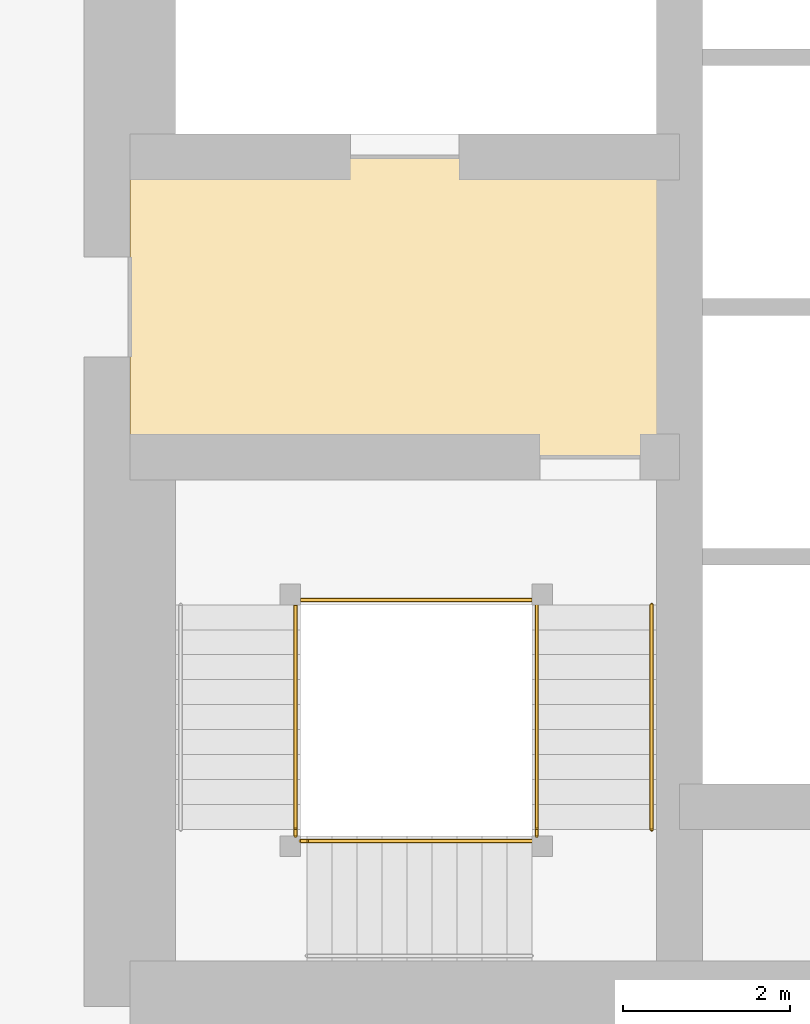
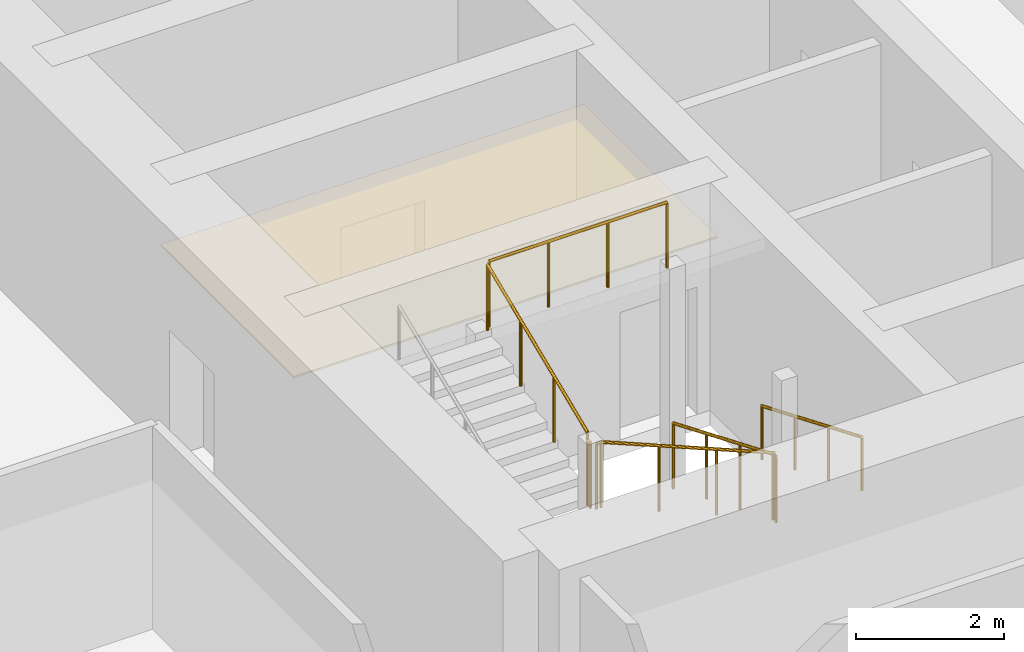
# One storey, part 37 of 44: 8 railings, 1 covering.
"""IFC4 building model written with IfcOpenShell, lengths in metres."""

from ifc_helpers import new_model, si_unit, direction, frame, origin, origin_2d, place, context, subcontext, project, spatial, polyline, circle, outline, extrude, material, layer, layer_set, type_object, element, save


model = new_model("IFC4")

# Units and contexts
model_context = context("Model", 3, precision=1e-05, world=origin(), true_north=direction((0.0, 1.0)))
body_context = subcontext(model_context, "Body", "Model", "MODEL_VIEW")
ifc_project = project(units=[si_unit("LENGTHUNIT", "METRE"), si_unit("AREAUNIT", "SQUARE_METRE"), si_unit("VOLUMEUNIT", "CUBIC_METRE"), si_unit("PLANEANGLEUNIT", "RADIAN"), si_unit("MASSUNIT", "GRAM", prefix="KILO")], contexts=[model_context])

# Site, building, storey
site_placement = place(None, origin())
site = spatial("IfcSite", under=ifc_project, at=site_placement, CompositionType="ELEMENT")
building_placement = place(site_placement, origin())
building = spatial("IfcBuilding", under=site, at=building_placement, Name="Rekha Terrace Tower", CompositionType="ELEMENT")
storey_placement = place(building_placement, frame((0.0, 0.0, 62.89990234375)))
storey = spatial("IfcBuildingStorey", under=building, at=storey_placement, Name="L15", CompositionType="ELEMENT", Elevation=62.89990234375)

# Covering
ifc_material_1 = material(Name="Powder-coated aluminium pan", Category="aluminium")
ifc_layer = layer(ifc_material_1, 0.030029296875)
ifc_layer_set = layer_set([ifc_layer], Name="Powder-coated aluminium pan")
covering_type = type_object("IfcCoveringType", Name="CL3 300x1200 metal pan ceiling", PredefinedType="CEILING", material=ifc_layer_set)
covering_placement = place(storey_placement, frame((0.0, 0.0, 2.570068359375)))
element("IfcCovering", 1, at=covering_placement, inside=storey, type_object=covering_type, Name="Ceiling L15-FLB1", PredefinedType="CEILING", context=body_context, shape_type="SweptSolid", body=[
    extrude(outline(polyline([(31.800048828125, 31.199951171875), (25.199951171875, 31.199951171875), (25.199951171875, 27.60009765625), (31.800048828125, 27.60009765625), (31.800048828125, 31.199951171875)])), origin(), (0.0, 0.0, 1.0), 0.030029296875),
])

# Railings
ifc_material_2 = material(Name="Stainless steel balustrade", Category="steel")
railing_type_1 = type_object("IfcRailingType", Name="GR1 1100 stair guard", PredefinedType="GUARDRAIL", material=ifc_material_2)
railing_1_placement = place(storey_placement, frame((30.0849609375, 25.824951171875, 0.125)))
element("IfcRailing", 2, at=railing_1_placement, inside=storey, type_object=railing_type_1, Name="Guard ST1 L15 flight 1", PredefinedType="GUARDRAIL", context=body_context, shape_type="SweptSolid", body=[
    extrude(circle(Radius=0.02392578125, at=origin_2d()), frame((0.0, 0.0, 1.076171875), z_axis=(0.0, -0.923074453586, 0.384621311341), x_axis=(1.0, 0.0, 0.0)), (0.0, 0.0, 1.0), 2.925048828125),
    extrude(circle(Radius=0.02099609375, at=origin_2d()), origin(), (0.0, 0.0, 1.0), 1.052001953125),
    extrude(circle(Radius=0.02099609375, at=origin_2d()), frame((0.0, -0.89990234375, 0.375)), (0.0, 0.0, 1.0), 1.052001953125),
    extrude(circle(Radius=0.02099609375, at=origin_2d()), frame((0.0, -1.800048828125, 0.75)), (0.0, 0.0, 1.0), 1.052001953125),
    extrude(circle(Radius=0.02099609375, at=origin_2d()), frame((0.0, -2.699951171875, 1.125)), (0.0, 0.0, 1.0), 1.052001953125),
])
railing_2_placement = place(storey_placement, frame((30.02490234375, 22.989990234375, 1.375)))
element("IfcRailing", 3, at=railing_2_placement, inside=storey, type_object=railing_type_1, Name="Guard ST1 L15 flight 2", PredefinedType="GUARDRAIL", context=body_context, shape_type="SweptSolid", body=[
    extrude(circle(Radius=0.02392578125, at=origin_2d()), frame((0.0, 0.0, 1.076171875), z_axis=(-0.923074453586, 0.0, 0.384621311341), x_axis=(0.0, -1.0, 0.0)), (0.0, 0.0, 1.0), 2.925048828125),
    extrude(circle(Radius=0.02099609375, at=origin_2d()), origin(), (0.0, 0.0, 1.0), 1.052001953125),
    extrude(circle(Radius=0.02099609375, at=origin_2d()), frame((-0.89990234375, 0.0, 0.375)), (0.0, 0.0, 1.0), 1.052001953125),
    extrude(circle(Radius=0.02099609375, at=origin_2d()), frame((-1.800048828125, 0.0, 0.75)), (0.0, 0.0, 1.0), 1.052001953125),
    extrude(circle(Radius=0.02099609375, at=origin_2d()), frame((-2.699951171875, 0.0, 1.125)), (0.0, 0.0, 1.0), 1.052001953125),
])
railing_3_placement = place(storey_placement, frame((27.18994140625, 23.125, 2.625)))
element("IfcRailing", 4, at=railing_3_placement, inside=storey, type_object=railing_type_1, Name="Guard ST1 L15 flight 3", PredefinedType="GUARDRAIL", context=body_context, shape_type="SweptSolid", body=[
    extrude(circle(Radius=0.02392578125, at=origin_2d()), frame((0.0, 0.0, 1.076171875), z_axis=(0.0, 0.923074453586, 0.384621311341), x_axis=(-1.0, 0.0, 0.0)), (0.0, 0.0, 1.0), 2.925048828125),
    extrude(circle(Radius=0.02099609375, at=origin_2d()), origin(), (0.0, 0.0, 1.0), 1.052001953125),
    extrude(circle(Radius=0.02099609375, at=origin_2d()), frame((0.0, 0.89990234375, 0.375)), (0.0, 0.0, 1.0), 1.052001953125),
    extrude(circle(Radius=0.02099609375, at=origin_2d()), frame((0.0, 1.800048828125, 0.75)), (0.0, 0.0, 1.0), 1.052001953125),
    extrude(circle(Radius=0.02099609375, at=origin_2d()), frame((0.0, 2.699951171875, 1.125)), (0.0, 0.0, 1.0), 1.052001953125),
])
railing_4_placement = place(storey_placement, frame((30.0849609375, 23.125, 1.25)))
element("IfcRailing", 5, at=railing_4_placement, inside=storey, type_object=railing_type_1, Name="Guard ST1 L15 landing 1", PredefinedType="GUARDRAIL", context=body_context, shape_type="SweptSolid", body=[
    extrude(circle(Radius=0.02392578125, at=origin_2d()), frame((0.0, 0.0, 1.076171875), z_axis=(0.0, -1.0, 0.0), x_axis=(1.0, 0.0, 0.0)), (0.0, 0.0, 1.0), 0.074951171875),
    extrude(circle(Radius=0.02099609375, at=origin_2d()), origin(), (0.0, 0.0, 1.0), 1.052001953125),
    extrude(circle(Radius=0.02099609375, at=origin_2d()), frame((0.0, -0.074951171875, 0.0)), (0.0, 0.0, 1.0), 1.052001953125),
])
railing_5_placement = place(storey_placement, frame((27.324951171875, 22.989990234375, 2.5)))
element("IfcRailing", 6, at=railing_5_placement, inside=storey, type_object=railing_type_1, Name="Guard ST1 L15 landing 2", PredefinedType="GUARDRAIL", context=body_context, shape_type="SweptSolid", body=[
    extrude(circle(Radius=0.02392578125, at=origin_2d()), frame((0.0, 0.0, 1.076171875), z_axis=(-1.0, 0.0, 0.0), x_axis=(0.0, -1.0, 0.0)), (0.0, 0.0, 1.0), 0.074951171875),
    extrude(circle(Radius=0.02099609375, at=origin_2d()), origin(), (0.0, 0.0, 1.0), 1.052001953125),
    extrude(circle(Radius=0.02099609375, at=origin_2d()), frame((-0.074951171875, 0.0, 0.0)), (0.0, 0.0, 1.0), 1.052001953125),
])
railing_6_placement = place(storey_placement, frame((27.18994140625, 23.125, 2.5)))
element("IfcRailing", 7, at=railing_6_placement, inside=storey, type_object=railing_type_1, Name="Guard ST1 L15 landing 3", PredefinedType="GUARDRAIL", context=body_context, shape_type="SweptSolid", body=[
    extrude(circle(Radius=0.02392578125, at=origin_2d()), frame((0.0, 0.0, 1.076171875), z_axis=(0.0, -1.0, 0.0), x_axis=(1.0, 0.0, 0.0)), (0.0, 0.0, 1.0), 0.074951171875),
    extrude(circle(Radius=0.02099609375, at=origin_2d()), origin(), (0.0, 0.0, 1.0), 1.052001953125),
    extrude(circle(Radius=0.02099609375, at=origin_2d()), frame((0.0, -0.074951171875, 0.0)), (0.0, 0.0, 1.0), 1.052001953125),
])
railing_7_placement = place(storey_placement, frame((30.02490234375, 25.885009765625, 3.75)))
element("IfcRailing", 8, at=railing_7_placement, inside=storey, type_object=railing_type_1, Name="Guard ST1 L15 landing 4", PredefinedType="GUARDRAIL", context=body_context, shape_type="SweptSolid", body=[
    extrude(circle(Radius=0.02392578125, at=origin_2d()), frame((0.0, 0.0, 1.076171875), z_axis=(-1.0, 0.0, 0.0), x_axis=(0.0, -1.0, 0.0)), (0.0, 0.0, 1.0), 2.77490234375),
    extrude(circle(Radius=0.02099609375, at=origin_2d()), origin(), (0.0, 0.0, 1.0), 1.052001953125),
    extrude(circle(Radius=0.02099609375, at=origin_2d()), frame((-0.925048828125, 0.0, 0.0)), (0.0, 0.0, 1.0), 1.052001953125),
    extrude(circle(Radius=0.02099609375, at=origin_2d()), frame((-1.849853515625, 0.0, 0.0)), (0.0, 0.0, 1.0), 1.052001953125),
    extrude(circle(Radius=0.02099609375, at=origin_2d()), frame((-2.77490234375, 0.0, 0.0)), (0.0, 0.0, 1.0), 1.052001953125),
])
ifc_material_3 = material(Name="Stainless steel tube", Category="steel")
railing_type_2 = type_object("IfcRailingType", Name="HR1 900 stair handrail", PredefinedType="HANDRAIL", material=ifc_material_3)
railing_8_placement = place(storey_placement, frame((31.465087890625, 25.824951171875, 0.125)))
element("IfcRailing", 9, at=railing_8_placement, inside=storey, type_object=railing_type_2, Name="Handrail ST1 L15 flight 1", PredefinedType="HANDRAIL", context=body_context, shape_type="SweptSolid", body=[
    extrude(circle(Radius=0.02392578125, at=origin_2d()), frame((0.0, 0.0, 0.8759765625), z_axis=(0.0, -0.923074453586, 0.384621311341), x_axis=(1.0, 0.0, 0.0)), (0.0, 0.0, 1.0), 2.925048828125),
    extrude(circle(Radius=0.02099609375, at=origin_2d()), origin(), (0.0, 0.0, 1.0), 0.851806640625),
    extrude(circle(Radius=0.02099609375, at=origin_2d()), frame((0.0, -0.89990234375, 0.375)), (0.0, 0.0, 1.0), 0.851806640625),
    extrude(circle(Radius=0.02099609375, at=origin_2d()), frame((0.0, -1.800048828125, 0.75)), (0.0, 0.0, 1.0), 0.851806640625),
    extrude(circle(Radius=0.02099609375, at=origin_2d()), frame((0.0, -2.699951171875, 1.125)), (0.0, 0.0, 1.0), 0.851806640625),
])

save(model, "model.ifc")
